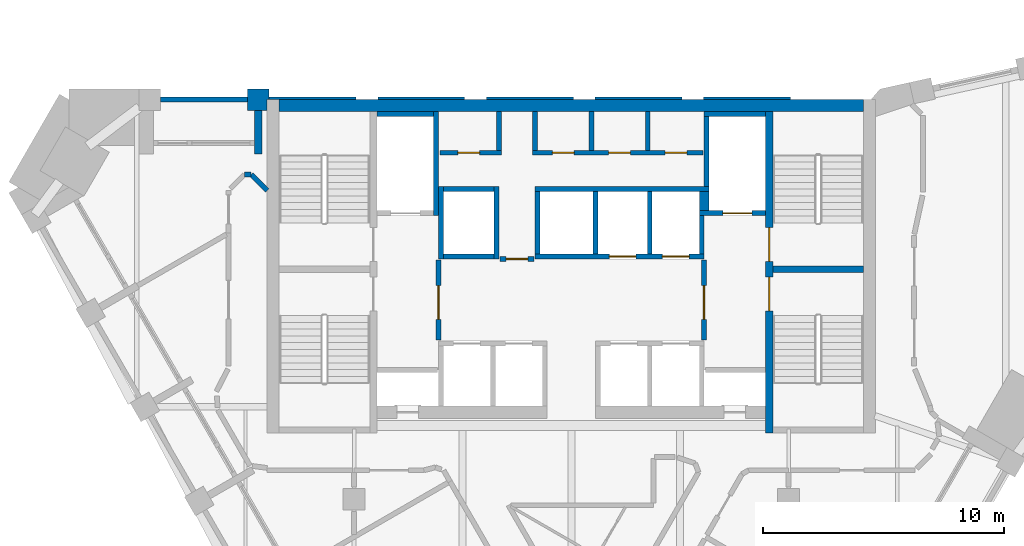
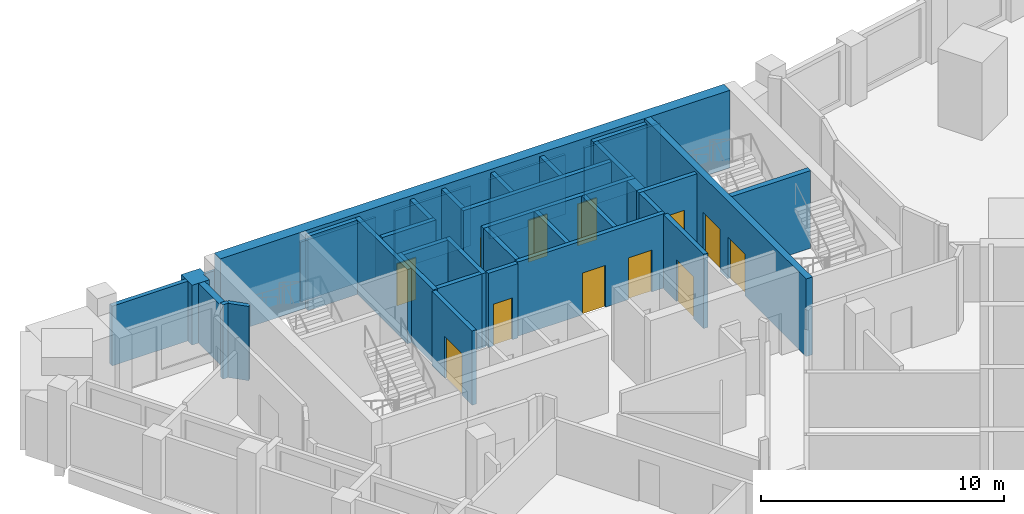
# One storey, part 6 of 9: 38 walls, 12 doors, 12 openings.
"""IFC4 building model written with IfcOpenShell, lengths in metres."""

from ifc_helpers import new_model, si_unit, direction, frame, frame_2d, origin, place, context, subcontext, project, spatial, polyline, rectangle, outline, extrude, material, layer, layer_set, type_object, element, fill, save


model = new_model("IFC4")

# Units and contexts
model_context = context("Model", 3, precision=1e-05, world=origin(), true_north=direction((0.0, 1.0)))
body_context = subcontext(model_context, "Body", "Model", "MODEL_VIEW")
ifc_project = project(units=[si_unit("LENGTHUNIT", "METRE"), si_unit("AREAUNIT", "SQUARE_METRE"), si_unit("VOLUMEUNIT", "CUBIC_METRE"), si_unit("PLANEANGLEUNIT", "RADIAN"), si_unit("MASSUNIT", "GRAM", prefix="KILO")], contexts=[model_context])

# Site, building, storey
site_placement = place(None, origin())
site = spatial("IfcSite", under=ifc_project, at=site_placement, CompositionType="ELEMENT")
building_placement = place(site_placement, origin())
building = spatial("IfcBuilding", under=site, at=building_placement, Name="Calabash Gate Tower", CompositionType="ELEMENT")
storey_placement = place(building_placement, frame((0.0, 0.0, 291.10009765625)))
storey = spatial("IfcBuildingStorey", under=building, at=storey_placement, Name="L70", CompositionType="ELEMENT", Elevation=291.10009765625)

# Walls
ifc_material_1 = material(Name="Terracotta brick masonry, exposed face", Category="masonry")
ifc_layer_1 = layer(ifc_material_1, 0.89990234375)
ifc_layer_set_1 = layer_set([ifc_layer_1], Name="Brick end wall 900")
wall_type_1 = type_object("IfcWallType", Name="Brick end wall 900", PredefinedType="SOLIDWALL", material=ifc_layer_set_1)
wall_1_placement = place(storey_placement, origin())
element("IfcWall", 1, at=wall_1_placement, inside=storey, type_object=wall_type_1, Name="Brick pier S21 N6.5", PredefinedType="SOLIDWALL", context=body_context, shape_type="SweptSolid", body=[
    extrude(outline(polyline([(-12.515625, 19.052490234375), (-12.515625, 19.50244140625), (-13.415771484375, 19.50244140625), (-13.415771484375, 18.6025390625), (-12.60009765625, 18.6025390625), (-12.60009765625, 19.052490234375), (-12.515625, 19.052490234375)])), origin(), (0.0, 0.0, 1.0), 3.0),
])
ifc_material_2 = material(Name="Terracotta brick masonry, exposed face", Category="masonry")
ifc_layer_2 = layer(ifc_material_2, 0.300048828125)
ifc_layer_set_2 = layer_set([ifc_layer_2], Name="Brick loggia cheek wall 300")
wall_type_2 = type_object("IfcWallType", Name="Brick loggia cheek wall 300", PredefinedType="SOLIDWALL", material=ifc_layer_set_2)
wall_2_placement = place(storey_placement, origin())
element("IfcWall", 2, at=wall_2_placement, inside=storey, type_object=wall_type_2, Name="Loggia cheek S21 N6.5", PredefinedType="SOLIDWALL", context=body_context, shape_type="SweptSolid", body=[
    extrude(outline(polyline([(-12.815673828125, 16.802490234375), (-12.815673828125, 18.6025390625), (-13.11572265625, 18.6025390625), (-13.11572265625, 16.802490234375), (-12.815673828125, 16.802490234375)])), origin(), (0.0, 0.0, 1.0), 3.0),
])
ifc_material_3 = material(Name="Gypsum board on steel studs, mineral wool", Category="steel")
ifc_layer_3 = layer(ifc_material_3, 0.199951171875)
ifc_layer_set_3 = layer_set([ifc_layer_3], Name="Core partition 200 gypsum board")
wall_type_3 = type_object("IfcWallType", Name="Core partition 200 gypsum board", PredefinedType="PARTITIONING", material=ifc_layer_set_3)
for number, where, z_axis, x_axis, name in (
    (3, (-3.0, 16.95263671875, 0.0), (0.0, 0.0, 1.0), (0.0, 1.0, 0.0), "Core partition"),
    (4, (-1.5, 16.95263671875, 0.0), (0.0, 0.0, 1.0), (0.0, 1.0, 0.0), "Core partition"),
    (5, (0.833251953125, 16.95263671875, 0.0), (0.0, 0.0, 1.0), (0.0, 1.0, 0.0), "Core partition"),
    (6, (3.166748046875, 16.95263671875, 0.0), (0.0, 0.0, 1.0), (0.0, 1.0, 0.0), "Core partition"),
):
    element("IfcWall", number, at=place(storey_placement, frame(where, z_axis=z_axis, x_axis=x_axis)), inside=storey, type_object=wall_type_3, Name=name, PredefinedType="PARTITIONING", context=body_context, shape_type="SweptSolid", body=[
        extrude(rectangle(XDim=1.599853515625, YDim=0.199951171875, at=frame_2d((0.7998046875, 0.0))), origin(), (0.0, 0.0, 1.0), 3.72998046875),
    ])
ifc_material_4 = material(Name="Concrete C60/75", Category="concrete")
ifc_layer_4 = layer(ifc_material_4, 0.25)
ifc_layer_set_4 = layer_set([ifc_layer_4], Name="Core wall 250 Concrete C60/75")
wall_type_4 = type_object("IfcWallType", Name="Core wall 250 Concrete C60/75", PredefinedType="SHEAR", material=ifc_layer_set_4)
wall_3_placement = place(storey_placement, frame((8.35009765625, 12.027587890625, 0.0), z_axis=(0.0, 0.0, 1.0), x_axis=(1.0, 0.0, 0.0)))
element("IfcWall", 7, at=wall_3_placement, inside=storey, type_object=wall_type_4, Name="Core wall Z5-MIDE L70", PredefinedType="SHEAR", context=body_context, shape_type="SweptSolid", body=[
    extrude(rectangle(XDim=3.75, YDim=0.25, at=frame_2d((1.875, 0.0))), origin(), (0.0, 0.0, 1.0), 3.89990234375),
])

# Wall, openings, doors
ifc_material_5 = material(Name="Concrete C60/75", Category="concrete")
ifc_layer_5 = layer(ifc_material_5, 0.300048828125)
ifc_layer_set_5 = layer_set([ifc_layer_5], Name="Core wall 300 Concrete C60/75")
wall_type_5 = type_object("IfcWallType", Name="Core wall 300 Concrete C60/75", PredefinedType="SHEAR", material=ifc_layer_set_5)
wall_4_placement = place(storey_placement, frame((8.199951171875, 5.252685546875, 0.0), z_axis=(0.0, 0.0, 1.0), x_axis=(0.0, 1.0, 0.0)))
wall_4 = element("IfcWall", 8, at=wall_4_placement, inside=storey, type_object=wall_type_5, Name="Core wall Z5-PARTE L70", PredefinedType="SHEAR", context=body_context, shape_type="SweptSolid", body=[
    extrude(rectangle(XDim=13.2998046875, YDim=0.300048828125, at=frame_2d((6.64990234375, 0.0))), origin(), (0.0, 0.0, 1.0), 3.89990234375),
])
opening_1_placement = place(wall_4_placement, frame((7.10009765625, 0.0, 0.0)))
opening_1 = element("IfcOpeningElement", 9, at=opening_1_placement, cuts=wall_4, Name="Opening O13-012", PredefinedType="OPENING", context=body_context, shape_type="SweptSolid", body=[
    extrude(rectangle(XDim=1.39990234375, YDim=2.10009765625, at=frame_2d((0.699951171875, 1.050048828125))), frame((0.0, 0.159912109375, 0.0), z_axis=(0.0, -1.0, 0.0), x_axis=(1.0, 0.0, 0.0)), (0.0, 0.0, 1.0), 0.320068359375),
])
opening_2_placement = place(wall_4_placement, frame((5.050048828125, 0.0, 0.0)))
opening_2 = element("IfcOpeningElement", 10, at=opening_2_placement, cuts=wall_4, Name="Opening O13-013", PredefinedType="OPENING", context=body_context, shape_type="SweptSolid", body=[
    extrude(rectangle(XDim=1.39990234375, YDim=2.10009765625, at=frame_2d((0.699951171875, 1.050048828125))), frame((0.0, 0.159912109375, 0.0), z_axis=(0.0, -1.0, 0.0), x_axis=(1.0, 0.0, 0.0)), (0.0, 0.0, 1.0), 0.320068359375),
])
ifc_material_6 = material(Name="Steel fire door set with fire-resisting glazing", Category="steel")
door_type_1 = type_object("IfcDoorType", Name="Fire door D05 1400x2100 FD90", OperationType="NOTDEFINED", PredefinedType="DOOR", material=ifc_material_6)
door_1_placement = place(opening_1_placement, origin())
door_1 = element("IfcDoor", 11, at=door_1_placement, inside=storey, type_object=door_type_1, Name="Exit stair door ST3", OperationType="SINGLE_SWING_RIGHT", OverallHeight=2.10009765625, OverallWidth=1.39990234375, PredefinedType="DOOR", context=body_context, shape_type="SweptSolid", body=[
    extrude(rectangle(XDim=1.39990234375, YDim=2.10009765625, at=frame_2d((0.699951171875, 1.050048828125))), frame((0.0, 0.02490234375, 0.0), z_axis=(0.0, -1.0, 0.0), x_axis=(1.0, 0.0, 0.0)), (0.0, 0.0, 1.0), 0.050048828125),
])
fill(opening_1, door_1)
door_2_placement = place(opening_2_placement, origin())
door_2 = element("IfcDoor", 12, at=door_2_placement, inside=storey, type_object=door_type_1, Name="Exit stair door ST4", OperationType="SINGLE_SWING_LEFT", OverallHeight=2.10009765625, OverallWidth=1.39990234375, PredefinedType="DOOR", context=body_context, shape_type="SweptSolid", body=[
    extrude(rectangle(XDim=1.39990234375, YDim=2.10009765625, at=frame_2d((0.699951171875, 1.050048828125))), frame((0.0, 0.02490234375, 0.0), z_axis=(0.0, -1.0, 0.0), x_axis=(1.0, 0.0, 0.0)), (0.0, 0.0, 1.0), 0.050048828125),
])
fill(opening_2, door_2)

# Walls
ifc_material_7 = material(Name="Concrete C60/75", Category="concrete")
ifc_layer_6 = layer(ifc_material_7, 0.5)
ifc_layer_set_6 = layer_set([ifc_layer_6], Name="Core wall 500 Concrete C60/75")
wall_type_6 = type_object("IfcWallType", Name="Core wall 500 Concrete C60/75", PredefinedType="SHEAR", material=ifc_layer_set_6)
wall_5_placement = place(storey_placement, frame((-12.10009765625, 18.802490234375, 0.0), z_axis=(0.0, 0.0, 1.0), x_axis=(1.0, 0.0, 0.0)))
element("IfcWall", 13, at=wall_5_placement, inside=storey, type_object=wall_type_6, Name="Core wall Z5-N L70", PredefinedType="SHEAR", context=body_context, shape_type="SweptSolid", body=[
    extrude(rectangle(XDim=24.2001953125, YDim=0.5, at=frame_2d((12.10009765625, 0.0))), origin(), (0.0, 0.0, 1.0), 3.89990234375),
])
ifc_material_8 = material(Name="Gypsum board on steel studs, mineral wool", Category="steel")
ifc_layer_7 = layer(ifc_material_8, 0.199951171875)
ifc_layer_set_7 = layer_set([ifc_layer_7], Name="Partition 200 gypsum board EI 60")
wall_type_7 = type_object("IfcWallType", Name="Partition 200 gypsum board EI 60", PredefinedType="PARTITIONING", material=ifc_layer_set_7)
wall_6_placement = place(storey_placement, frame((-13.5400390625, 15.953125, 0.0), z_axis=(0.0, 0.0, 1.0), x_axis=(0.99999962061, -0.000871079809, 0.0)))
element("IfcWall", 14, at=wall_6_placement, inside=storey, type_object=wall_type_7, Name="Partition", PredefinedType="PARTITIONING", context=body_context, shape_type="SweptSolid", body=[
    extrude(rectangle(XDim=0.2802734375, YDim=0.199951171875, at=frame_2d((0.14013671875, 0.0))), origin(), (0.0, 0.0, 1.0), 3.72998046875),
])
wall_7_placement = place(storey_placement, frame((-13.259765625, 15.952880859375, 0.0), z_axis=(0.0, 0.0, 1.0), x_axis=(0.708285399161, -0.705926195389, 0.0)))
element("IfcWall", 15, at=wall_7_placement, inside=storey, type_object=wall_type_7, Name="Partition", PredefinedType="PARTITIONING", context=body_context, shape_type="SweptSolid", body=[
    extrude(rectangle(XDim=0.931396484375, YDim=0.199951171875, at=frame_2d((0.4658203125, 0.0))), origin(), (0.0, 0.0, 1.0), 3.72998046875),
])

# Wall, opening, door
ifc_material_9 = material(Name="Concrete C40/50", Category="concrete")
ifc_layer_8 = layer(ifc_material_9, 0.199951171875)
ifc_layer_set_8 = layer_set([ifc_layer_8], Name="Shaft wall 200 Concrete C40/50")
wall_type_8 = type_object("IfcWallType", Name="Shaft wall 200 Concrete C40/50", PredefinedType="SOLIDWALL", material=ifc_layer_set_8)
wall_8_placement = place(storey_placement, frame((-5.5, 9.1025390625, 0.0), z_axis=(0.0, 0.0, 1.0), x_axis=(0.0, 1.0, 0.0)))
wall_8 = element("IfcWall", 16, at=wall_8_placement, inside=storey, type_object=wall_type_8, Name="Shaft wall", PredefinedType="SOLIDWALL", context=body_context, shape_type="SweptSolid", body=[
    extrude(rectangle(XDim=3.300048828125, YDim=0.199951171875, at=frame_2d((1.64990234375, 0.0))), origin(), (0.0, 0.0, 1.0), 3.72998046875),
])
opening_3_placement = place(wall_8_placement, frame((0.85009765625, 0.0, 0.0)))
opening_3 = element("IfcOpeningElement", 17, at=opening_3_placement, cuts=wall_8, Name="Opening O13-003", PredefinedType="OPENING", context=body_context, shape_type="SweptSolid", body=[
    extrude(rectangle(XDim=1.39990234375, YDim=2.10009765625, at=frame_2d((0.699951171875, 1.050048828125))), frame((0.0, 0.10986328125, 0.0), z_axis=(0.0, -1.0, 0.0), x_axis=(1.0, 0.0, 0.0)), (0.0, 0.0, 1.0), 0.219970703125),
])
door_3_placement = place(opening_3_placement, origin())
door_3 = element("IfcDoor", 18, at=door_3_placement, inside=storey, type_object=door_type_1, Name="Firefighting Lobby W door", OperationType="SINGLE_SWING_RIGHT", OverallHeight=2.10009765625, OverallWidth=1.39990234375, PredefinedType="DOOR", context=body_context, shape_type="SweptSolid", body=[
    extrude(rectangle(XDim=1.39990234375, YDim=2.10009765625, at=frame_2d((0.699951171875, 1.050048828125))), frame((0.0, 0.02490234375, 0.0), z_axis=(0.0, -1.0, 0.0), x_axis=(1.0, 0.0, 0.0)), (0.0, 0.0, 1.0), 0.050048828125),
])
fill(opening_3, door_3)

wall_9_placement = place(storey_placement, frame((5.5, 9.1025390625, 0.0), z_axis=(0.0, 0.0, 1.0), x_axis=(0.0, 1.0, 0.0)))
wall_9 = element("IfcWall", 19, at=wall_9_placement, inside=storey, type_object=wall_type_8, Name="Shaft wall", PredefinedType="SOLIDWALL", context=body_context, shape_type="SweptSolid", body=[
    extrude(rectangle(XDim=3.300048828125, YDim=0.199951171875, at=frame_2d((1.64990234375, 0.0))), origin(), (0.0, 0.0, 1.0), 3.72998046875),
])
opening_4_placement = place(wall_9_placement, frame((0.85009765625, 0.0, 0.0)))
opening_4 = element("IfcOpeningElement", 20, at=opening_4_placement, cuts=wall_9, Name="Opening O13-002", PredefinedType="OPENING", context=body_context, shape_type="SweptSolid", body=[
    extrude(rectangle(XDim=1.39990234375, YDim=2.10009765625, at=frame_2d((0.699951171875, 1.050048828125))), frame((0.0, 0.10986328125, 0.0), z_axis=(0.0, -1.0, 0.0), x_axis=(1.0, 0.0, 0.0)), (0.0, 0.0, 1.0), 0.219970703125),
])
door_4_placement = place(opening_4_placement, origin())
door_4 = element("IfcDoor", 21, at=door_4_placement, inside=storey, type_object=door_type_1, Name="Firefighting Lobby E door", OperationType="SINGLE_SWING_LEFT", OverallHeight=2.10009765625, OverallWidth=1.39990234375, PredefinedType="DOOR", context=body_context, shape_type="SweptSolid", body=[
    extrude(rectangle(XDim=1.39990234375, YDim=2.10009765625, at=frame_2d((0.699951171875, 1.050048828125))), frame((0.0, 0.02490234375, 0.0), z_axis=(0.0, -1.0, 0.0), x_axis=(1.0, 0.0, 0.0)), (0.0, 0.0, 1.0), 0.050048828125),
])
fill(opening_4, door_4)

wall_10_placement = place(storey_placement, frame((-2.949951171875, 12.45263671875, 0.0), z_axis=(0.0, 0.0, 1.0), x_axis=(1.0, 0.0, 0.0)))
wall_10 = element("IfcWall", 22, at=wall_10_placement, inside=storey, type_object=wall_type_8, Name="Shaft wall", PredefinedType="SOLIDWALL", context=body_context, shape_type="SweptSolid", body=[
    extrude(rectangle(XDim=1.39990234375, YDim=0.199951171875, at=frame_2d((0.699951171875, 0.0))), origin(), (0.0, 0.0, 1.0), 3.72998046875),
])
opening_5_placement = place(wall_10_placement, frame((0.25, 0.0, 0.0)))
opening_5 = element("IfcOpeningElement", 23, at=opening_5_placement, cuts=wall_10, Name="Opening O13-001", PredefinedType="OPENING", context=body_context, shape_type="SweptSolid", body=[
    extrude(rectangle(XDim=0.89990234375, YDim=2.10009765625, at=frame_2d((0.449951171875, 1.050048828125))), frame((0.0, 0.10986328125, 0.0), z_axis=(0.0, -1.0, 0.0), x_axis=(1.0, 0.0, 0.0)), (0.0, 0.0, 1.0), 0.219970703125),
])
ifc_material_10 = material(Name="Steel fire door set with fire-resisting glazing", Category="steel")
door_type_2 = type_object("IfcDoorType", Name="Fire door D06 900x2100 FD60", OperationType="NOTDEFINED", PredefinedType="DOOR", material=ifc_material_10)
door_5_placement = place(opening_5_placement, origin())
door_5 = element("IfcDoor", 24, at=door_5_placement, inside=storey, type_object=door_type_2, Name="Service Corridor door", OperationType="SINGLE_SWING_RIGHT", OverallHeight=2.10009765625, OverallWidth=0.89990234375, PredefinedType="DOOR", context=body_context, shape_type="SweptSolid", body=[
    extrude(rectangle(XDim=0.89990234375, YDim=2.10009765625, at=frame_2d((0.449951171875, 1.050048828125))), frame((0.0, 0.02490234375, 0.0), z_axis=(0.0, -1.0, 0.0), x_axis=(1.0, 0.0, 0.0)), (0.0, 0.0, 1.0), 0.050048828125),
])
fill(opening_5, door_5)

# Walls
wall_11_placement = place(storey_placement, frame((-5.39990234375, 12.45263671875, 0.0), z_axis=(0.0, 0.0, 1.0), x_axis=(0.0, 1.0, 0.0)))
element("IfcWall", 25, at=wall_11_placement, inside=storey, type_object=wall_type_8, Name="Shaft wall", PredefinedType="SOLIDWALL", context=body_context, shape_type="SweptSolid", body=[
    extrude(rectangle(XDim=3.0, YDim=0.199951171875, at=frame_2d((1.5, 0.0))), origin(), (0.0, 0.0, 1.0), 3.72998046875),
])
wall_12_placement = place(storey_placement, frame((-5.300048828125, 12.552490234375, 0.0), z_axis=(0.0, 0.0, 1.0), x_axis=(1.0, 0.0, 0.0)))
element("IfcWall", 26, at=wall_12_placement, inside=storey, type_object=wall_type_8, Name="Shaft wall", PredefinedType="SOLIDWALL", context=body_context, shape_type="SweptSolid", body=[
    extrude(rectangle(XDim=2.10009765625, YDim=0.199951171875, at=frame_2d((1.050048828125, 0.0))), origin(), (0.0, 0.0, 1.0), 3.72998046875),
])
wall_13_placement = place(storey_placement, frame((-3.10009765625, 12.45263671875, 0.0), z_axis=(0.0, 0.0, 1.0), x_axis=(0.0, 1.0, 0.0)))
element("IfcWall", 27, at=wall_13_placement, inside=storey, type_object=wall_type_8, Name="Shaft wall", PredefinedType="SOLIDWALL", context=body_context, shape_type="SweptSolid", body=[
    extrude(rectangle(XDim=3.0, YDim=0.199951171875, at=frame_2d((1.5, 0.0))), origin(), (0.0, 0.0, 1.0), 3.72998046875),
])

# Wall, openings, doors
wall_14_placement = place(storey_placement, frame((-1.5, 12.552490234375, 0.0), z_axis=(0.0, 0.0, 1.0), x_axis=(1.0, 0.0, 0.0)))
wall_14 = element("IfcWall", 28, at=wall_14_placement, inside=storey, type_object=wall_type_8, Name="Shaft wall", PredefinedType="SOLIDWALL", context=body_context, shape_type="SweptSolid", body=[
    extrude(rectangle(XDim=7.0, YDim=0.199951171875, at=frame_2d((3.5, 0.0))), origin(), (0.0, 0.0, 1.0), 3.72998046875),
])
opening_6_placement = place(wall_14_placement, frame((3.074951171875, 0.0, 0.0)))
opening_6 = element("IfcOpeningElement", 29, at=opening_6_placement, cuts=wall_14, Name="Opening LD-HR5", PredefinedType="OPENING", context=body_context, shape_type="SweptSolid", body=[
    extrude(rectangle(XDim=1.10009765625, YDim=2.10009765625, at=frame_2d((0.550048828125, 1.050048828125))), frame((0.0, 0.10986328125, 0.0), z_axis=(0.0, -1.0, 0.0), x_axis=(1.0, 0.0, 0.0)), (0.0, 0.0, 1.0), 0.219970703125),
])
opening_7_placement = place(wall_14_placement, frame((5.27490234375, 0.0, 0.0)))
opening_7 = element("IfcOpeningElement", 30, at=opening_7_placement, cuts=wall_14, Name="Opening LD-HR6", PredefinedType="OPENING", context=body_context, shape_type="SweptSolid", body=[
    extrude(rectangle(XDim=1.10009765625, YDim=2.10009765625, at=frame_2d((0.550048828125, 1.050048828125))), frame((0.0, 0.10986328125, 0.0), z_axis=(0.0, -1.0, 0.0), x_axis=(1.0, 0.0, 0.0)), (0.0, 0.0, 1.0), 0.219970703125),
])
ifc_material_11 = material(Name="Stainless steel sliding door leaves", Category="steel")
door_type_3 = type_object("IfcDoorType", Name="Lift landing door LS1 1100x2100 FD90", OperationType="DOUBLE_DOOR_SLIDING", PredefinedType="DOOR", material=ifc_material_11)
door_6_placement = place(opening_6_placement, origin())
door_6 = element("IfcDoor", 31, at=door_6_placement, inside=storey, type_object=door_type_3, Name="Lift landing door HR5", OperationType="DOUBLE_DOOR_SLIDING", OverallHeight=2.10009765625, OverallWidth=1.10009765625, PredefinedType="DOOR", context=body_context, shape_type="SweptSolid", body=[
    extrude(rectangle(XDim=1.10009765625, YDim=2.10009765625, at=frame_2d((0.550048828125, 1.050048828125))), frame((0.0, 0.02490234375, 0.0), z_axis=(0.0, -1.0, 0.0), x_axis=(1.0, 0.0, 0.0)), (0.0, 0.0, 1.0), 0.050048828125),
])
fill(opening_6, door_6)
door_7_placement = place(opening_7_placement, origin())
door_7 = element("IfcDoor", 32, at=door_7_placement, inside=storey, type_object=door_type_3, Name="Lift landing door HR6", OperationType="DOUBLE_DOOR_SLIDING", OverallHeight=2.10009765625, OverallWidth=1.10009765625, PredefinedType="DOOR", context=body_context, shape_type="SweptSolid", body=[
    extrude(rectangle(XDim=1.10009765625, YDim=2.10009765625, at=frame_2d((0.550048828125, 1.050048828125))), frame((0.0, 0.02490234375, 0.0), z_axis=(0.0, -1.0, 0.0), x_axis=(1.0, 0.0, 0.0)), (0.0, 0.0, 1.0), 0.050048828125),
])
fill(opening_7, door_7)

# Walls
for number, where, z_axis, x_axis, name in (
    (33, (-1.39990234375, 12.652587890625, 0.0), (0.0, 0.0, 1.0), (0.0, 1.0, 0.0), "Shaft wall"),
    (34, (1.0, 12.652587890625, 0.0), (0.0, 0.0, 1.0), (0.0, 1.0, 0.0), "Shaft wall"),
    (35, (3.25, 12.652587890625, 0.0), (0.0, 0.0, 1.0), (0.0, 1.0, 0.0), "Shaft wall"),
):
    element("IfcWall", number, at=place(storey_placement, frame(where, z_axis=z_axis, x_axis=x_axis)), inside=storey, type_object=wall_type_8, Name=name, PredefinedType="SOLIDWALL", context=body_context, shape_type="SweptSolid", body=[
        extrude(rectangle(XDim=2.60009765625, YDim=0.199951171875, at=frame_2d((1.300048828125, 0.0))), origin(), (0.0, 0.0, 1.0), 3.72998046875),
    ])
wall_15_placement = place(storey_placement, frame((5.39990234375, 12.652587890625, 0.0), z_axis=(0.0, 0.0, 1.0), x_axis=(0.0, 1.0, 0.0)))
element("IfcWall", 36, at=wall_15_placement, inside=storey, type_object=wall_type_8, Name="Shaft wall", PredefinedType="SOLIDWALL", context=body_context, shape_type="SweptSolid", body=[
    extrude(rectangle(XDim=1.60009765625, YDim=0.199951171875, at=frame_2d((0.800048828125, 0.0))), origin(), (0.0, 0.0, 1.0), 3.72998046875),
])
wall_16_placement = place(storey_placement, frame((-5.60009765625, 14.252685546875, 0.0), z_axis=(0.0, 0.0, 1.0), x_axis=(0.0, 1.0, 0.0)))
element("IfcWall", 37, at=wall_16_placement, inside=storey, type_object=wall_type_8, Name="Shaft wall", PredefinedType="SOLIDWALL", context=body_context, shape_type="SweptSolid", body=[
    extrude(rectangle(XDim=4.2998046875, YDim=0.199951171875, at=frame_2d((2.14990234375, 0.0))), origin(), (0.0, 0.0, 1.0), 3.72998046875),
])

# Wall, opening, door
wall_17_placement = place(storey_placement, frame((5.300048828125, 14.3525390625, 0.0), z_axis=(0.0, 0.0, 1.0), x_axis=(1.0, 0.0, 0.0)))
wall_17 = element("IfcWall", 38, at=wall_17_placement, inside=storey, type_object=wall_type_8, Name="Shaft wall", PredefinedType="SOLIDWALL", context=body_context, shape_type="SweptSolid", body=[
    extrude(rectangle(XDim=2.75, YDim=0.199951171875, at=frame_2d((1.375, 0.0))), origin(), (0.0, 0.0, 1.0), 3.72998046875),
])
opening_8_placement = place(wall_17_placement, frame((0.97509765625, 0.0, 0.0)))
opening_8 = element("IfcOpeningElement", 39, at=opening_8_placement, cuts=wall_17, Name="Opening LD-FF2", PredefinedType="OPENING", context=body_context, shape_type="SweptSolid", body=[
    extrude(rectangle(XDim=1.199951171875, YDim=2.10009765625, at=frame_2d((0.60009765625, 1.050048828125))), frame((0.0, 0.10986328125, 0.0), z_axis=(0.0, -1.0, 0.0), x_axis=(1.0, 0.0, 0.0)), (0.0, 0.0, 1.0), 0.219970703125),
])
ifc_material_12 = material(Name="Stainless steel sliding door leaves", Category="steel")
door_type_4 = type_object("IfcDoorType", Name="Lift landing door LS3 1200x2100 FD90", OperationType="DOUBLE_DOOR_SLIDING", PredefinedType="DOOR", material=ifc_material_12)
door_8_placement = place(opening_8_placement, origin())
door_8 = element("IfcDoor", 40, at=door_8_placement, inside=storey, type_object=door_type_4, Name="Lift landing door FF2", OperationType="DOUBLE_DOOR_SLIDING", OverallHeight=2.10009765625, OverallWidth=1.199951171875, PredefinedType="DOOR", context=body_context, shape_type="SweptSolid", body=[
    extrude(rectangle(XDim=1.199951171875, YDim=2.10009765625, at=frame_2d((0.60009765625, 1.050048828125))), frame((0.0, 0.02490234375, 0.0), z_axis=(0.0, -1.0, 0.0), x_axis=(1.0, 0.0, 0.0)), (0.0, 0.0, 1.0), 0.050048828125),
])
fill(opening_8, door_8)

# Walls
wall_18_placement = place(storey_placement, frame((5.5, 14.45263671875, 0.0), z_axis=(0.0, 0.0, 1.0), x_axis=(0.0, 1.0, 0.0)))
element("IfcWall", 41, at=wall_18_placement, inside=storey, type_object=wall_type_8, Name="Shaft wall", PredefinedType="SOLIDWALL", context=body_context, shape_type="SweptSolid", body=[
    extrude(rectangle(XDim=0.800048828125, YDim=0.39990234375, at=frame_2d((0.39990234375, 0.0))), origin(), (0.0, 0.0, 1.0), 3.72998046875),
])
wall_19_placement = place(storey_placement, frame((-5.300048828125, 15.3525390625, 0.0), z_axis=(0.0, 0.0, 1.0), x_axis=(1.0, 0.0, 0.0)))
element("IfcWall", 42, at=wall_19_placement, inside=storey, type_object=wall_type_8, Name="Shaft wall", PredefinedType="SOLIDWALL", context=body_context, shape_type="SweptSolid", body=[
    extrude(rectangle(XDim=2.10009765625, YDim=0.199951171875, at=frame_2d((1.050048828125, 0.0))), origin(), (0.0, 0.0, 1.0), 3.72998046875),
])
wall_20_placement = place(storey_placement, frame((-1.5, 15.3525390625, 0.0), z_axis=(0.0, 0.0, 1.0), x_axis=(1.0, 0.0, 0.0)))
element("IfcWall", 43, at=wall_20_placement, inside=storey, type_object=wall_type_8, Name="Shaft wall", PredefinedType="SOLIDWALL", context=body_context, shape_type="SweptSolid", body=[
    extrude(rectangle(XDim=7.199951171875, YDim=0.199951171875, at=frame_2d((3.60009765625, 0.0))), origin(), (0.0, 0.0, 1.0), 3.72998046875),
])
wall_21_placement = place(storey_placement, frame((5.60009765625, 15.45263671875, 0.0), z_axis=(0.0, 0.0, 1.0), x_axis=(0.0, 1.0, 0.0)))
element("IfcWall", 44, at=wall_21_placement, inside=storey, type_object=wall_type_8, Name="Shaft wall", PredefinedType="SOLIDWALL", context=body_context, shape_type="SweptSolid", body=[
    extrude(rectangle(XDim=2.89990234375, YDim=0.199951171875, at=frame_2d((1.449951171875, 0.0))), origin(), (0.0, 0.0, 1.0), 3.72998046875),
])

# Wall, opening, door
wall_22_placement = place(storey_placement, frame((-5.449951171875, 16.8525390625, 0.0), z_axis=(0.0, 0.0, 1.0), x_axis=(1.0, 0.0, 0.0)))
wall_22 = element("IfcWall", 45, at=wall_22_placement, inside=storey, type_object=wall_type_8, Name="Shaft wall", PredefinedType="SOLIDWALL", context=body_context, shape_type="SweptSolid", body=[
    extrude(rectangle(XDim=2.550048828125, YDim=0.199951171875, at=frame_2d((1.27490234375, 0.0))), origin(), (0.0, 0.0, 1.0), 3.72998046875),
])
opening_9_placement = place(wall_22_placement, frame((0.75, 0.0, 0.0)))
opening_9 = element("IfcOpeningElement", 46, at=opening_9_placement, cuts=wall_22, Name="Opening O13-004", PredefinedType="OPENING", context=body_context, shape_type="SweptSolid", body=[
    extrude(rectangle(XDim=0.89990234375, YDim=2.10009765625, at=frame_2d((0.449951171875, 1.050048828125))), frame((0.0, 0.10986328125, 0.0), z_axis=(0.0, -1.0, 0.0), x_axis=(1.0, 0.0, 0.0)), (0.0, 0.0, 1.0), 0.219970703125),
])
door_9_placement = place(opening_9_placement, origin())
door_9 = element("IfcDoor", 47, at=door_9_placement, inside=storey, type_object=door_type_2, Name="Accessible WC door", OperationType="SINGLE_SWING_LEFT", OverallHeight=2.10009765625, OverallWidth=0.89990234375, PredefinedType="DOOR", context=body_context, shape_type="SweptSolid", body=[
    extrude(rectangle(XDim=0.89990234375, YDim=2.10009765625, at=frame_2d((0.449951171875, 1.050048828125))), frame((0.0, 0.02490234375, 0.0), z_axis=(0.0, -1.0, 0.0), x_axis=(1.0, 0.0, 0.0)), (0.0, 0.0, 1.0), 0.050048828125),
])
fill(opening_9, door_9)

# Wall, openings, doors
wall_23_placement = place(storey_placement, frame((-1.60009765625, 16.8525390625, 0.0), z_axis=(0.0, 0.0, 1.0), x_axis=(1.0, 0.0, 0.0)))
wall_23 = element("IfcWall", 48, at=wall_23_placement, inside=storey, type_object=wall_type_8, Name="Shaft wall", PredefinedType="SOLIDWALL", context=body_context, shape_type="SweptSolid", body=[
    extrude(rectangle(XDim=7.050048828125, YDim=0.199951171875, at=frame_2d((3.52490234375, 0.0))), origin(), (0.0, 0.0, 1.0), 3.72998046875),
])
opening_10_placement = place(wall_23_placement, frame((0.816650390625, 0.0, 0.0)))
opening_10 = element("IfcOpeningElement", 49, at=opening_10_placement, cuts=wall_23, Name="Opening O13-005", PredefinedType="OPENING", context=body_context, shape_type="SweptSolid", body=[
    extrude(rectangle(XDim=0.89990234375, YDim=2.10009765625, at=frame_2d((0.449951171875, 1.050048828125))), frame((0.0, 0.10986328125, 0.0), z_axis=(0.0, -1.0, 0.0), x_axis=(1.0, 0.0, 0.0)), (0.0, 0.0, 1.0), 0.219970703125),
])
opening_11_placement = place(wall_23_placement, frame((3.14990234375, 0.0, 0.0)))
opening_11 = element("IfcOpeningElement", 50, at=opening_11_placement, cuts=wall_23, Name="Opening O13-006", PredefinedType="OPENING", context=body_context, shape_type="SweptSolid", body=[
    extrude(rectangle(XDim=0.89990234375, YDim=2.10009765625, at=frame_2d((0.449951171875, 1.050048828125))), frame((0.0, 0.10986328125, 0.0), z_axis=(0.0, -1.0, 0.0), x_axis=(1.0, 0.0, 0.0)), (0.0, 0.0, 1.0), 0.219970703125),
])
opening_12_placement = place(wall_23_placement, frame((5.4833984375, 0.0, 0.0)))
opening_12 = element("IfcOpeningElement", 51, at=opening_12_placement, cuts=wall_23, Name="Opening O13-007", PredefinedType="OPENING", context=body_context, shape_type="SweptSolid", body=[
    extrude(rectangle(XDim=0.89990234375, YDim=2.10009765625, at=frame_2d((0.449951171875, 1.050048828125))), frame((0.0, 0.10986328125, 0.0), z_axis=(0.0, -1.0, 0.0), x_axis=(1.0, 0.0, 0.0)), (0.0, 0.0, 1.0), 0.219970703125),
])
door_10_placement = place(opening_10_placement, origin())
door_10 = element("IfcDoor", 52, at=door_10_placement, inside=storey, type_object=door_type_2, Name="Cleaner's Store door", OperationType="SINGLE_SWING_LEFT", OverallHeight=2.10009765625, OverallWidth=0.89990234375, PredefinedType="DOOR", context=body_context, shape_type="SweptSolid", body=[
    extrude(rectangle(XDim=0.89990234375, YDim=2.10009765625, at=frame_2d((0.449951171875, 1.050048828125))), frame((0.0, 0.02490234375, 0.0), z_axis=(0.0, -1.0, 0.0), x_axis=(1.0, 0.0, 0.0)), (0.0, 0.0, 1.0), 0.050048828125),
])
fill(opening_10, door_10)
door_11_placement = place(opening_11_placement, origin())
door_11 = element("IfcDoor", 53, at=door_11_placement, inside=storey, type_object=door_type_2, Name="Tenant Pantry door", OperationType="SINGLE_SWING_LEFT", OverallHeight=2.10009765625, OverallWidth=0.89990234375, PredefinedType="DOOR", context=body_context, shape_type="SweptSolid", body=[
    extrude(rectangle(XDim=0.89990234375, YDim=2.10009765625, at=frame_2d((0.449951171875, 1.050048828125))), frame((0.0, 0.02490234375, 0.0), z_axis=(0.0, -1.0, 0.0), x_axis=(1.0, 0.0, 0.0)), (0.0, 0.0, 1.0), 0.050048828125),
])
fill(opening_11, door_11)
door_12_placement = place(opening_12_placement, origin())
door_12 = element("IfcDoor", 54, at=door_12_placement, inside=storey, type_object=door_type_2, Name="Print Room door", OperationType="SINGLE_SWING_RIGHT", OverallHeight=2.10009765625, OverallWidth=0.89990234375, PredefinedType="DOOR", context=body_context, shape_type="SweptSolid", body=[
    extrude(rectangle(XDim=0.89990234375, YDim=2.10009765625, at=frame_2d((0.449951171875, 1.050048828125))), frame((0.0, 0.02490234375, 0.0), z_axis=(0.0, -1.0, 0.0), x_axis=(1.0, 0.0, 0.0)), (0.0, 0.0, 1.0), 0.050048828125),
])
fill(opening_12, door_12)

# Walls
wall_24_placement = place(storey_placement, frame((-8.050048828125, 18.45263671875, 0.0), z_axis=(0.0, 0.0, 1.0), x_axis=(1.0, 0.0, 0.0)))
element("IfcWall", 55, at=wall_24_placement, inside=storey, type_object=wall_type_8, Name="Shaft wall", PredefinedType="SOLIDWALL", context=body_context, shape_type="SweptSolid", body=[
    extrude(rectangle(XDim=2.35009765625, YDim=0.199951171875, at=frame_2d((1.175048828125, 0.0))), origin(), (0.0, 0.0, 1.0), 3.72998046875),
])
wall_25_placement = place(storey_placement, frame((5.5, 18.45263671875, 0.0), z_axis=(0.0, 0.0, 1.0), x_axis=(1.0, 0.0, 0.0)))
element("IfcWall", 56, at=wall_25_placement, inside=storey, type_object=wall_type_8, Name="Shaft wall", PredefinedType="SOLIDWALL", context=body_context, shape_type="SweptSolid", body=[
    extrude(rectangle(XDim=2.550048828125, YDim=0.199951171875, at=frame_2d((1.27490234375, 0.0))), origin(), (0.0, 0.0, 1.0), 3.72998046875),
])
ifc_material_13 = material(Name="Terracotta brick masonry, perforated", Category="masonry")
ifc_layer_9 = layer(ifc_material_13, 0.1201171875)
ifc_layer_set_9 = layer_set([ifc_layer_9], Name="Terracotta jaali cladding A 120")
wall_type_9 = type_object("IfcWallType", Name="Terracotta jaali cladding A 120", PredefinedType="SOLIDWALL", material=ifc_layer_set_9)
wall_26_placement = place(storey_placement, origin())
element("IfcWall", 57, at=wall_26_placement, inside=storey, type_object=wall_type_9, Name="Jaali cladding S21 N6.1", PredefinedType="SOLIDWALL", context=body_context, shape_type="SweptSolid", body=[
    extrude(outline(polyline([(5.484375, 19.172607421875), (5.484375, 19.052490234375), (9.084228515625, 19.052490234375), (9.084228515625, 19.172607421875), (5.484375, 19.172607421875)])), origin(), (0.0, 0.0, 1.0), 3.0),
])
wall_27_placement = place(storey_placement, origin())
element("IfcWall", 58, at=wall_27_placement, inside=storey, type_object=wall_type_9, Name="Jaali cladding S21 N6.3", PredefinedType="SOLIDWALL", context=body_context, shape_type="SweptSolid", body=[
    extrude(outline(polyline([(-3.515625, 19.172607421875), (-3.515625, 19.052490234375), (0.084228515625, 19.052490234375), (0.084228515625, 19.172607421875), (-3.515625, 19.172607421875)])), origin(), (0.0, 0.0, 1.0), 3.0),
])
wall_28_placement = place(storey_placement, origin())
element("IfcWall", 59, at=wall_28_placement, inside=storey, type_object=wall_type_9, Name="Jaali cladding S21 N6.5", PredefinedType="SOLIDWALL", context=body_context, shape_type="SweptSolid", body=[
    extrude(outline(polyline([(-12.51513671875, 19.172607421875), (-12.51513671875, 19.052490234375), (-8.915771484375, 19.052490234375), (-8.915771484375, 19.172607421875), (-12.51513671875, 19.172607421875)])), origin(), (0.0, 0.0, 1.0), 3.0),
])
ifc_material_14 = material(Name="Terracotta brick masonry, perforated", Category="masonry")
ifc_layer_10 = layer(ifc_material_14, 0.199951171875)
ifc_layer_set_10 = layer_set([ifc_layer_10], Name="Terracotta jaali screen A")
wall_type_10 = type_object("IfcWallType", Name="Terracotta jaali screen A", PredefinedType="SOLIDWALL", material=ifc_layer_set_10)
wall_29_placement = place(storey_placement, frame((-13.415771484375, 19.052490234375, 0.0), z_axis=(0.0, 0.0, 1.0), x_axis=(-1.0, 0.0, 0.0)))
element("IfcWall", 60, at=wall_29_placement, inside=storey, type_object=wall_type_10, Name="SCREEN A S21 N6.6", PredefinedType="SOLIDWALL", context=body_context, shape_type="SweptSolid", body=[
    extrude(rectangle(XDim=3.599853515625, YDim=0.199951171875, at=frame_2d((1.7998046875, 0.0))), origin(), (0.0, 0.0, 1.0), 3.0),
])
ifc_material_15 = material(Name="Terracotta louvre blades in an aluminium frame", Category="masonry")
ifc_layer_11 = layer(ifc_material_15, 0.1201171875)
ifc_layer_set_11 = layer_set([ifc_layer_11], Name="Terracotta vent louvre cladding 120")
wall_type_11 = type_object("IfcWallType", Name="Terracotta vent louvre cladding 120", PredefinedType="ELEMENTEDWALL", material=ifc_layer_set_11)
wall_30_placement = place(storey_placement, origin())
element("IfcWall", 61, at=wall_30_placement, inside=storey, type_object=wall_type_11, Name="Vent louvre cladding S21 N6.2", PredefinedType="ELEMENTEDWALL", context=body_context, shape_type="SweptSolid", body=[
    extrude(outline(polyline([(0.984375, 19.172607421875), (0.984375, 19.052490234375), (4.584228515625, 19.052490234375), (4.584228515625, 19.172607421875), (0.984375, 19.172607421875)])), origin(), (0.0, 0.0, 1.0), 3.0),
])
wall_31_placement = place(storey_placement, origin())
element("IfcWall", 62, at=wall_31_placement, inside=storey, type_object=wall_type_11, Name="Vent louvre cladding S21 N6.4", PredefinedType="ELEMENTEDWALL", context=body_context, shape_type="SweptSolid", body=[
    extrude(outline(polyline([(-8.015625, 19.172607421875), (-8.015625, 19.052490234375), (-4.415771484375, 19.052490234375), (-4.415771484375, 19.172607421875), (-8.015625, 19.172607421875)])), origin(), (0.0, 0.0, 1.0), 3.0),
])

save(model, "model.ifc")
